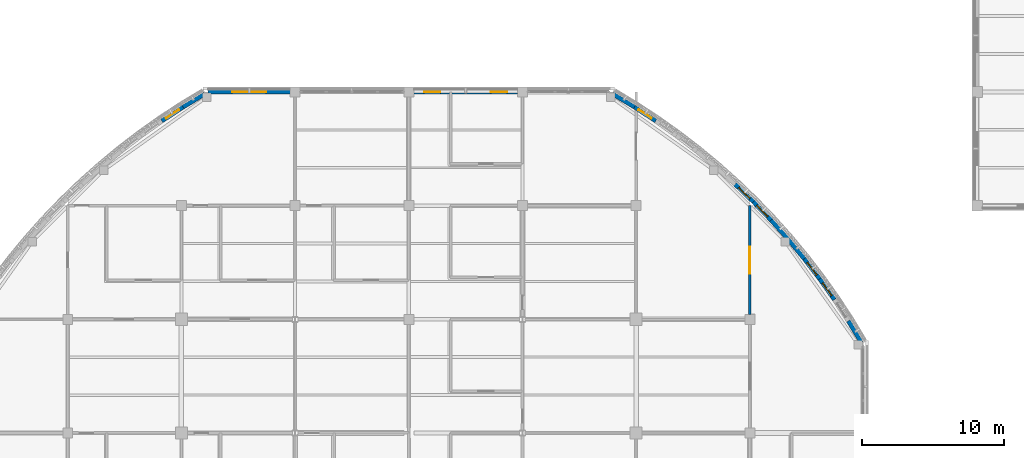
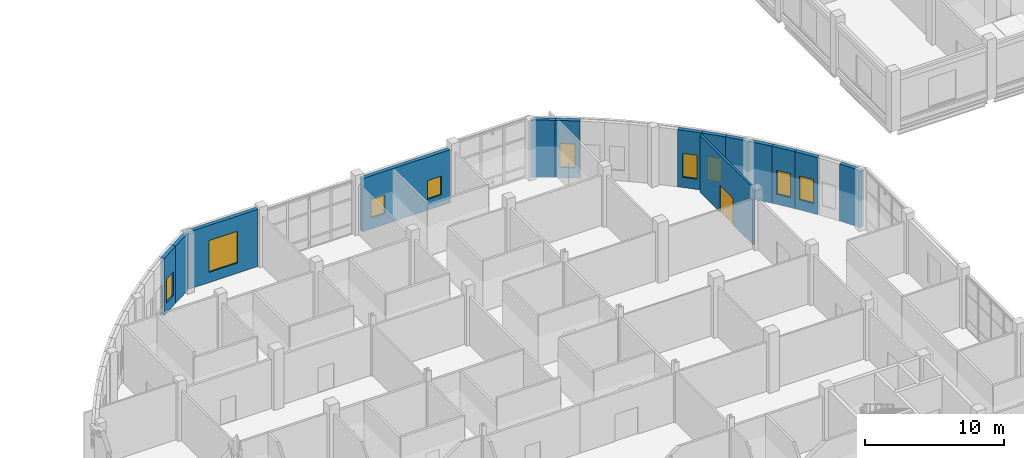
# One storey, part 74 of 105: 14 walls, 9 windows, 1 door, 10 openings.
"""IFC4 building model written with IfcOpenShell, lengths in metres."""

import ifcopenshell
import ifcopenshell.guid

model = None  # the IFC model being written
_history = None  # IfcOwnerHistory: only IFC2X3 demands one
_inside = {}  # id of a spatial element -> (the spatial element, [elements in it])
_under = {}  # id of a project, library or spatial element -> (it, [spatial elements below it])
_declared = {}  # id of a project -> (the project, [libraries it declares])
_typed = {}  # id of a type object -> (the type object, [elements of that type])
_made_of = {}  # id of a material, layer set ... -> (it, [elements and type objects made of it])


def new_model(schema):
    """Start an empty IFC model of exactly this schema.

    Asked for "IFC4X3", IfcOpenShell would pick the latest addendum, in which some entities
    have other attributes; the version numbers below select the first issue.
    IFC2X3 requires an IfcOwnerHistory on every rooted entity: one is made here for all.
    """
    global model, _history
    if schema == "IFC4X3":
        model = ifcopenshell.file(schema_version=(4, 3, 0, 0))
    else:
        model = ifcopenshell.file(schema=schema)
    _inside.clear()
    _under.clear()
    _declared.clear()
    _typed.clear()
    _made_of.clear()
    _history = None
    if model.schema == "IFC2X3":
        org = make("IfcOrganization", Name="unknown")
        user = make(
            "IfcPersonAndOrganization",
            ThePerson=make("IfcPerson", FamilyName="unknown"),
            TheOrganization=org,
        )
        app = make(
            "IfcApplication",
            ApplicationDeveloper=org,
            Version="unknown",
            ApplicationFullName="unknown",
            ApplicationIdentifier="unknown",
        )
        _history = make(
            "IfcOwnerHistory",
            OwningUser=user,
            OwningApplication=app,
            ChangeAction="ADDED",
            CreationDate=0,
        )
    return model


def make(cls, **values):
    """One entity of the class cls with the attributes given. An attribute that is None is left unset."""
    return model.create_entity(
        cls, **{name: value for name, value in values.items() if value is not None}
    )


def rooted(cls, **values):
    """An entity with a GlobalId (a new one), such as an element, a storey or a relation."""
    return make(cls, GlobalId=ifcopenshell.guid.new(), OwnerHistory=_history, **values)


def si_unit(unit_type, name, prefix=None):
    """IfcSIUnit, for example si_unit("LENGTHUNIT", "METRE", prefix="MILLI")."""
    return make("IfcSIUnit", UnitType=unit_type, Prefix=prefix, Name=name)


def derived_unit(unit_type, elements):
    """IfcDerivedUnit: a product of units, each with its exponent."""
    return make(
        "IfcDerivedUnit",
        Elements=[
            make("IfcDerivedUnitElement", Unit=unit, Exponent=power)
            for unit, power in elements
        ],
        UnitType=unit_type,
    )


def assignment(units):
    """IfcUnitAssignment: the units of a project."""
    return None if units is None else make("IfcUnitAssignment", Units=units)


def point(xyz):
    """IfcCartesianPoint."""
    return None if xyz is None else make("IfcCartesianPoint", Coordinates=xyz)


def direction(xyz):
    """IfcDirection."""
    return None if xyz is None else make("IfcDirection", DirectionRatios=xyz)


def frame(location, z_axis=None, x_axis=None):
    """IfcAxis2Placement3D, a coordinate frame: its origin and axes. An axis left out is left unset."""
    return make(
        "IfcAxis2Placement3D",
        Location=point(location),
        Axis=direction(z_axis),
        RefDirection=direction(x_axis),
    )


def frame_2d(location, x_axis=None):
    """IfcAxis2Placement2D, a coordinate frame in the plane: its origin and x axis."""
    return make(
        "IfcAxis2Placement2D", Location=point(location), RefDirection=direction(x_axis)
    )


def origin():
    """The frame at (0, 0, 0) with its axes left unset."""
    return frame((0.0, 0.0, 0.0))


def place(relative_to, where):
    """IfcLocalPlacement: puts the frame where relative to a parent placement (None: the world)."""
    return make(
        "IfcLocalPlacement", PlacementRelTo=relative_to, RelativePlacement=where
    )


def context(
    kind, dimensions, precision=None, world=None, true_north=None, identifier=None
):
    """IfcGeometricRepresentationContext, for example the 3D "Model" context."""
    return make(
        "IfcGeometricRepresentationContext",
        ContextIdentifier=identifier,
        ContextType=kind,
        CoordinateSpaceDimension=dimensions,
        Precision=precision,
        WorldCoordinateSystem=world,
        TrueNorth=true_north,
    )


def subcontext(parent, identifier, kind, view, scale=None):
    """IfcGeometricRepresentationSubContext, for example "Body" below "Model"."""
    return make(
        "IfcGeometricRepresentationSubContext",
        ContextIdentifier=identifier,
        ContextType=kind,
        ParentContext=parent,
        TargetScale=scale,
        TargetView=view,
    )


def project(units=None, contexts=None):
    """IfcProject with its units and contexts."""
    return rooted(
        "IfcProject",
        Name="project",
        RepresentationContexts=contexts,
        UnitsInContext=assignment(units),
    )


def spatial(cls, under=None, at=None, **own):
    """A site, building, storey or space (cls), placed at a placement, below another one or the project."""
    s = rooted(cls, ObjectPlacement=at, **own)
    if under is not None:
        _under.setdefault(under.id(), (under, []))[1].append(s)
    return s


def profile(cls, at=None, kind="AREA", **sizes):
    """A parametric profile (cls). Its sizes go by their IFC names, for example OverallWidth=200.0."""
    return make(cls, ProfileType=kind, Position=at, **sizes)


def rectangle(**sizes):
    """IfcRectangleProfileDef."""
    return profile("IfcRectangleProfileDef", **sizes)


def extrude(swept, where, along, depth):
    """IfcExtrudedAreaSolid: the profile swept, set in the frame where, extruded along a direction by depth."""
    return make(
        "IfcExtrudedAreaSolid",
        SweptArea=swept,
        Position=where,
        ExtrudedDirection=direction(along),
        Depth=depth,
    )


def shape(context_of_items, identifier, shape_type, items):
    """IfcShapeRepresentation: the items that make up one representation, for example the "Body"."""
    return make(
        "IfcShapeRepresentation",
        ContextOfItems=context_of_items,
        RepresentationIdentifier=identifier,
        RepresentationType=shape_type,
        Items=items,
    )


def material(Name=None, Category=None):
    """IfcMaterial."""
    return make("IfcMaterial", Name=Name, Category=Category)


def layer(
    of_material, thickness, ventilated=None, Name=None, Category=None, Priority=None
):
    """IfcMaterialLayer: one layer of a wall or slab, of a material (None: an air gap)."""
    return make(
        "IfcMaterialLayer",
        Material=of_material,
        LayerThickness=thickness,
        IsVentilated=ventilated,
        Name=Name,
        Category=Category,
        Priority=Priority,
    )


def layer_set(layers, Name=None):
    """IfcMaterialLayerSet."""
    return make("IfcMaterialLayerSet", MaterialLayers=layers, LayerSetName=Name)


def made_of(thing, what):
    """Note that an element or type object is made of a material, layer set ...; save() writes the relation."""
    if what is not None:
        _made_of.setdefault(what.id(), (what, []))[1].append(thing)
    return thing


def type_object(cls, material=None, **own):
    """A type object (cls), such as IfcWallType, which elements share."""
    return made_of(rooted(cls, **own), material)


def element(
    cls,
    number,
    at=None,
    inside=None,
    cuts=None,
    type_object=None,
    material=None,
    context=None,
    identifier="Body",
    shape_type=None,
    held_by="IfcProductDefinitionShape",
    body=None,
    shapes=None,
    **own,
):
    """One element of the class cls, such as IfcWall. Its Tag is "e" and its number.

    at: its placement. inside: the storey or other place that contains it. cuts: it is an
    opening in that element (IfcRelVoidsElement). A single representation is given by context,
    identifier, shape_type and body (its items); several are given by shapes. held_by: the class
    of the entity that holds the representations. save() writes the other relations.
    """
    e = rooted(cls, Tag="e%d" % number, ObjectPlacement=at, **own)
    if body is not None:
        shapes = [shape(context, identifier, shape_type, body)]
    if shapes is not None:
        e.Representation = make(held_by, Representations=shapes)
    if inside is not None:
        _inside.setdefault(inside.id(), (inside, []))[1].append(e)
    if cuts is not None:
        rooted(
            "IfcRelVoidsElement", RelatingBuildingElement=cuts, RelatedOpeningElement=e
        )
    if type_object is not None:
        _typed.setdefault(type_object.id(), (type_object, []))[1].append(e)
    return made_of(e, material)


def fill(opening, filler):
    """IfcRelFillsElement: the door or window that sits in an opening."""
    return rooted(
        "IfcRelFillsElement",
        RelatingOpeningElement=opening,
        RelatedBuildingElement=filler,
    )


def aggregate(whole, parts):
    """IfcRelAggregates: a whole, such as a stair, and the parts it consists of."""
    return rooted("IfcRelAggregates", RelatingObject=whole, RelatedObjects=parts)


def save(model, path):
    """Write the relations noted so far, then the file.

    IfcRelAggregates (storeys below a building ...), IfcRelContainedInSpatialStructure (elements
    in a storey), IfcRelDefinesByType, IfcRelAssociatesMaterial and IfcRelDeclares: one each for
    every whole, place, type object, material and project.
    """
    for whole, parts in _under.values():
        aggregate(whole, parts)
    for where, things in _inside.values():
        rooted(
            "IfcRelContainedInSpatialStructure",
            RelatedElements=things,
            RelatingStructure=where,
        )
    for kind, things in _typed.values():
        rooted("IfcRelDefinesByType", RelatedObjects=things, RelatingType=kind)
    for what, things in _made_of.values():
        rooted("IfcRelAssociatesMaterial", RelatedObjects=things, RelatingMaterial=what)
    for by, libraries in _declared.values():
        rooted("IfcRelDeclares", RelatingContext=by, RelatedDefinitions=libraries)
    model.write(path)


model = new_model("IFC4")

# Units and contexts
model_context = context("Model", 3, precision=1e-05, world=origin(), true_north=direction((0.0, 1.0)))
body_context = subcontext(model_context, "Body", "Model", "MODEL_VIEW")
ifc_project = project(units=[si_unit("LENGTHUNIT", "METRE"), si_unit("AREAUNIT", "SQUARE_METRE"), si_unit("VOLUMEUNIT", "CUBIC_METRE"), si_unit("PLANEANGLEUNIT", "RADIAN"), si_unit("MASSUNIT", "GRAM", prefix="KILO"), derived_unit("THERMALTRANSMITTANCEUNIT", [(si_unit("MASSUNIT", "GRAM", prefix="KILO"), 1), (si_unit("TIMEUNIT", "SECOND"), -3), (si_unit("THERMODYNAMICTEMPERATUREUNIT", "KELVIN"), -1)])], contexts=[model_context])

# Site, building, storey
site_placement = place(None, origin())
site = spatial("IfcSite", under=ifc_project, at=site_placement, CompositionType="ELEMENT")
building_placement = place(site_placement, origin())
building = spatial("IfcBuilding", under=site, at=building_placement, Name="Veyamyaing Civic Hall", CompositionType="ELEMENT")
storey_placement = place(building_placement, origin())
storey = spatial("IfcBuildingStorey", under=building, at=storey_placement, Name="L00", CompositionType="ELEMENT", Elevation=0.0)

# Wall
ifc_material_1 = material(Name="Precast concrete C40/50", Category="concrete")
ifc_layer_1 = layer(ifc_material_1, 0.304931640625, Name="Precast concrete C40/50")
ifc_layer_set_1 = layer_set([ifc_layer_1], Name="Precast concrete C40/50")
wall_type_1 = type_object("IfcWallType", Name="WT-03", PredefinedType="SOLIDWALL", material=ifc_layer_set_1)
wall_1_placement = place(storey_placement, frame((119.8671875, 78.350830078125, 0.0), z_axis=(0.0, 0.0, 1.0), x_axis=(-0.51607516088, 0.856543302071, 0.0)))
element("IfcWall", 1, at=wall_1_placement, inside=storey, type_object=wall_type_1, Name="Curved corner facade wall WT-03 L00 NE.1", PredefinedType="SOLIDWALL", context=body_context, shape_type="SweptSolid", body=[
    extrude(rectangle(XDim=1.794921875, YDim=0.304931640625, at=frame_2d((0.8974609375, 0.0))), origin(), (0.0, 0.0, 1.0), 5.034912109375),
])

# Wall, opening, window
wall_2_placement = place(storey_placement, frame((117.9638671875, 81.38037109375, 0.0), z_axis=(0.0, 0.0, 1.0), x_axis=(-0.578662393636, 0.815567185578, 0.0)))
wall_2 = element("IfcWall", 2, at=wall_2_placement, inside=storey, type_object=wall_type_1, Name="Curved corner facade wall WT-03 L00 NE.3", PredefinedType="SOLIDWALL", context=body_context, shape_type="SweptSolid", body=[
    extrude(rectangle(XDim=1.795166015625, YDim=0.304931640625, at=frame_2d((0.8974609375, 0.0))), origin(), (0.0, 0.0, 1.0), 5.034912109375),
])
opening_1_placement = place(wall_2_placement, frame((0.34765625, 0.0, 0.89990234375)))
opening_1 = element("IfcOpeningElement", 3, at=opening_1_placement, cuts=wall_2, Name="Opening W-15", PredefinedType="OPENING", context=body_context, shape_type="SweptSolid", body=[
    extrude(rectangle(XDim=1.10009765625, YDim=2.10009765625, at=frame_2d((0.550048828125, 1.050048828125))), frame((0.0, 0.162353515625, 0.0), z_axis=(0.0, -1.0, 0.0), x_axis=(1.0, 0.0, 0.0)), (0.0, 0.0, 1.0), 0.324951171875),
])
ifc_material_2 = material(Name="Low-E insulated glass", Category="glass")
window_type_1 = type_object("IfcWindowType", Name="W-15", PartitioningType="SINGLE_PANEL", PredefinedType="WINDOW", material=ifc_material_2)
window_1_placement = place(opening_1_placement, origin())
window_1 = element("IfcWindow", 4, at=window_1_placement, inside=storey, type_object=window_type_1, Name="Curved ribbon window W-15 L00 NE.3", OverallHeight=2.10009765625, OverallWidth=1.10009765625, PartitioningType="SINGLE_PANEL", PredefinedType="WINDOW", context=body_context, shape_type="SweptSolid", body=[
    extrude(rectangle(XDim=1.10009765625, YDim=2.10009765625, at=frame_2d((0.550048828125, 1.050048828125))), frame((0.0, 0.030029296875, 0.0), z_axis=(0.0, -1.0, 0.0), x_axis=(1.0, 0.0, 0.0)), (0.0, 0.0, 1.0), 0.06005859375),
])
fill(opening_1, window_1)

wall_3_placement = place(storey_placement, frame((116.928466796875, 82.83984375, 0.0), z_axis=(0.0, 0.0, 1.0), x_axis=(-0.608776981616, 0.793341406114, 0.0)))
wall_3 = element("IfcWall", 5, at=wall_3_placement, inside=storey, type_object=wall_type_1, Name="Curved corner facade wall WT-03 L00 NE.4", PredefinedType="SOLIDWALL", context=body_context, shape_type="SweptSolid", body=[
    extrude(rectangle(XDim=1.794921875, YDim=0.304931640625, at=frame_2d((0.8974609375, 0.0))), origin(), (0.0, 0.0, 1.0), 5.034912109375),
])
opening_2_placement = place(wall_3_placement, frame((0.347412109375, 0.0, 0.89990234375)))
opening_2 = element("IfcOpeningElement", 6, at=opening_2_placement, cuts=wall_3, Name="Opening W-15", PredefinedType="OPENING", context=body_context, shape_type="SweptSolid", body=[
    extrude(rectangle(XDim=1.10009765625, YDim=2.10009765625, at=frame_2d((0.550048828125, 1.050048828125))), frame((0.0, 0.162353515625, 0.0), z_axis=(0.0, -1.0, 0.0), x_axis=(1.0, 0.0, 0.0)), (0.0, 0.0, 1.0), 0.324951171875),
])
window_2_placement = place(opening_2_placement, origin())
window_2 = element("IfcWindow", 7, at=window_2_placement, inside=storey, type_object=window_type_1, Name="Curved ribbon window W-15 L00 NE.4", OverallHeight=2.10009765625, OverallWidth=1.10009765625, PartitioningType="SINGLE_PANEL", PredefinedType="WINDOW", context=body_context, shape_type="SweptSolid", body=[
    extrude(rectangle(XDim=1.10009765625, YDim=2.10009765625, at=frame_2d((0.550048828125, 1.050048828125))), frame((0.0, 0.030029296875, 0.0), z_axis=(0.0, -1.0, 0.0), x_axis=(1.0, 0.0, 0.0)), (0.0, 0.0, 1.0), 0.06005859375),
])
fill(opening_2, window_2)

# Walls
wall_4_placement = place(storey_placement, frame((115.83935546875, 84.259521484375, 0.0), z_axis=(0.0, 0.0, 1.0), x_axis=(-0.638054732073, 0.769991012207, 0.0)))
element("IfcWall", 8, at=wall_4_placement, inside=storey, type_object=wall_type_1, Name="Curved corner facade wall WT-03 L00 NE.5", PredefinedType="SOLIDWALL", context=body_context, shape_type="SweptSolid", body=[
    extrude(rectangle(XDim=1.794921875, YDim=0.304931640625, at=frame_2d((0.8974609375, 0.0))), origin(), (0.0, 0.0, 1.0), 5.034912109375),
])
wall_5_placement = place(storey_placement, frame((114.69775390625, 85.63720703125, 0.0), z_axis=(0.0, 0.0, 1.0), x_axis=(-0.666277888361, 0.745703543965, 0.0)))
element("IfcWall", 9, at=wall_5_placement, inside=storey, type_object=wall_type_1, Name="Curved corner facade wall WT-03 L00 NE.6", PredefinedType="SOLIDWALL", context=body_context, shape_type="SweptSolid", body=[
    extrude(rectangle(XDim=1.795166015625, YDim=0.304931640625, at=frame_2d((0.8974609375, 0.0))), origin(), (0.0, 0.0, 1.0), 5.034912109375),
])

# Wall, opening, window
wall_6_placement = place(storey_placement, frame((113.505615234375, 86.971435546875, 0.0), z_axis=(0.0, 0.0, 1.0), x_axis=(-0.693722700342, 0.720242191926, 0.0)))
wall_6 = element("IfcWall", 10, at=wall_6_placement, inside=storey, type_object=wall_type_1, Name="Curved corner facade wall WT-03 L00 NE.7", PredefinedType="SOLIDWALL", context=body_context, shape_type="SweptSolid", body=[
    extrude(rectangle(XDim=1.795166015625, YDim=0.304931640625, at=frame_2d((0.8974609375, 0.0))), origin(), (0.0, 0.0, 1.0), 5.034912109375),
])
opening_3_placement = place(wall_6_placement, frame((0.347412109375, 0.0, 0.89990234375)))
opening_3 = element("IfcOpeningElement", 11, at=opening_3_placement, cuts=wall_6, Name="Opening W-15", PredefinedType="OPENING", context=body_context, shape_type="SweptSolid", body=[
    extrude(rectangle(XDim=1.10009765625, YDim=2.10009765625, at=frame_2d((0.550048828125, 1.050048828125))), frame((0.0, 0.162353515625, 0.0), z_axis=(0.0, -1.0, 0.0), x_axis=(1.0, 0.0, 0.0)), (0.0, 0.0, 1.0), 0.324951171875),
])
window_3_placement = place(opening_3_placement, origin())
window_3 = element("IfcWindow", 12, at=window_3_placement, inside=storey, type_object=window_type_1, Name="Curved ribbon window W-15 L00 NE.7", OverallHeight=2.10009765625, OverallWidth=1.10009765625, PartitioningType="SINGLE_PANEL", PredefinedType="WINDOW", context=body_context, shape_type="SweptSolid", body=[
    extrude(rectangle(XDim=1.10009765625, YDim=2.10009765625, at=frame_2d((0.550048828125, 1.050048828125))), frame((0.0, 0.030029296875, 0.0), z_axis=(0.0, -1.0, 0.0), x_axis=(1.0, 0.0, 0.0)), (0.0, 0.0, 1.0), 0.06005859375),
])
fill(opening_3, window_3)

wall_7_placement = place(storey_placement, frame((112.264404296875, 88.26025390625, 0.0), z_axis=(0.0, 0.0, 1.0), x_axis=(-0.720242191926, 0.693722700342, 0.0)))
wall_7 = element("IfcWall", 13, at=wall_7_placement, inside=storey, type_object=wall_type_1, Name="Curved corner facade wall WT-03 L00 NE.8", PredefinedType="SOLIDWALL", context=body_context, shape_type="SweptSolid", body=[
    extrude(rectangle(XDim=1.795166015625, YDim=0.304931640625, at=frame_2d((0.8974609375, 0.0))), origin(), (0.0, 0.0, 1.0), 5.034912109375),
])
opening_4_placement = place(wall_7_placement, frame((0.347412109375, 0.0, 0.89990234375)))
opening_4 = element("IfcOpeningElement", 14, at=opening_4_placement, cuts=wall_7, Name="Opening W-15", PredefinedType="OPENING", context=body_context, shape_type="SweptSolid", body=[
    extrude(rectangle(XDim=1.10009765625, YDim=2.10009765625, at=frame_2d((0.550048828125, 1.050048828125))), frame((0.0, 0.162353515625, 0.0), z_axis=(0.0, -1.0, 0.0), x_axis=(1.0, 0.0, 0.0)), (0.0, 0.0, 1.0), 0.324951171875),
])
window_4_placement = place(opening_4_placement, origin())
window_4 = element("IfcWindow", 15, at=window_4_placement, inside=storey, type_object=window_type_1, Name="Curved ribbon window W-15 L00 NE.8", OverallHeight=2.10009765625, OverallWidth=1.10009765625, PartitioningType="SINGLE_PANEL", PredefinedType="WINDOW", context=body_context, shape_type="SweptSolid", body=[
    extrude(rectangle(XDim=1.10009765625, YDim=2.10009765625, at=frame_2d((0.550048828125, 1.050048828125))), frame((0.0, 0.030029296875, 0.0), z_axis=(0.0, -1.0, 0.0), x_axis=(1.0, 0.0, 0.0)), (0.0, 0.0, 1.0), 0.06005859375),
])
fill(opening_4, window_4)

wall_8_placement = place(storey_placement, frame((105.38525390625, 93.960693359375, 0.0), z_axis=(0.0, 0.0, 1.0), x_axis=(-0.836686786408, 0.547681678944, 0.0)))
wall_8 = element("IfcWall", 16, at=wall_8_placement, inside=storey, type_object=wall_type_1, Name="Curved corner facade wall WT-03 L00 NE.13", PredefinedType="SOLIDWALL", context=body_context, shape_type="SweptSolid", body=[
    extrude(rectangle(XDim=1.795166015625, YDim=0.304931640625, at=frame_2d((0.8974609375, 0.0))), origin(), (0.0, 0.0, 1.0), 5.034912109375),
])
opening_5_placement = place(wall_8_placement, frame((0.347412109375, 0.0, 0.89990234375)))
opening_5 = element("IfcOpeningElement", 17, at=opening_5_placement, cuts=wall_8, Name="Opening W-15", PredefinedType="OPENING", context=body_context, shape_type="SweptSolid", body=[
    extrude(rectangle(XDim=1.10009765625, YDim=2.10009765625, at=frame_2d((0.550048828125, 1.050048828125))), frame((0.0, 0.162353515625, 0.0), z_axis=(0.0, -1.0, 0.0), x_axis=(1.0, 0.0, 0.0)), (0.0, 0.0, 1.0), 0.324951171875),
])
window_5_placement = place(opening_5_placement, origin())
window_5 = element("IfcWindow", 18, at=window_5_placement, inside=storey, type_object=window_type_1, Name="Curved ribbon window W-15 L00 NE.13", OverallHeight=2.10009765625, OverallWidth=1.10009765625, PartitioningType="SINGLE_PANEL", PredefinedType="WINDOW", context=body_context, shape_type="SweptSolid", body=[
    extrude(rectangle(XDim=1.10009765625, YDim=2.10009765625, at=frame_2d((0.550048828125, 1.050048828125))), frame((0.0, 0.030029296875, 0.0), z_axis=(0.0, -1.0, 0.0), x_axis=(1.0, 0.0, 0.0)), (0.0, 0.0, 1.0), 0.06005859375),
])
fill(opening_5, window_5)

# Walls
for number, where, z_axis, x_axis, name in (
    (19, (103.88818359375, 94.94091796875, 0.0), (0.0, 0.0, 1.0), (-0.856543302071, 0.51607516088, 0.0), "Curved corner facade wall WT-03 L00 NE.14"),
    (20, (73.649169921875, 95.8671875, 0.0), (0.0, 0.0, 1.0), (-0.856543302071, -0.51607516088, 0.0), "Curved corner facade wall WT-03 L00 NW.1"),
):
    element("IfcWall", number, at=place(storey_placement, frame(where, z_axis=z_axis, x_axis=x_axis)), inside=storey, type_object=wall_type_1, Name=name, PredefinedType="SOLIDWALL", context=body_context, shape_type="SweptSolid", body=[
        extrude(rectangle(XDim=1.794921875, YDim=0.304931640625, at=frame_2d((0.8974609375, 0.0))), origin(), (0.0, 0.0, 1.0), 5.034912109375),
    ])

# Wall, opening, window
wall_9_placement = place(storey_placement, frame((72.11669921875, 94.94384765625, 0.0), z_axis=(0.0, 0.0, 1.0), x_axis=(-0.836686786408, -0.547681678944, 0.0)))
wall_9 = element("IfcWall", 21, at=wall_9_placement, inside=storey, type_object=wall_type_1, Name="Curved corner facade wall WT-03 L00 NW.2", PredefinedType="SOLIDWALL", context=body_context, shape_type="SweptSolid", body=[
    extrude(rectangle(XDim=1.795166015625, YDim=0.304931640625, at=frame_2d((0.8974609375, 0.0))), origin(), (0.0, 0.0, 1.0), 5.034912109375),
])
opening_6_placement = place(wall_9_placement, frame((0.347412109375, 0.0, 0.89990234375)))
opening_6 = element("IfcOpeningElement", 22, at=opening_6_placement, cuts=wall_9, Name="Opening W-15", PredefinedType="OPENING", context=body_context, shape_type="SweptSolid", body=[
    extrude(rectangle(XDim=1.10009765625, YDim=2.10009765625, at=frame_2d((0.550048828125, 1.050048828125))), frame((0.0, 0.162353515625, 0.0), z_axis=(0.0, -1.0, 0.0), x_axis=(1.0, 0.0, 0.0)), (0.0, 0.0, 1.0), 0.324951171875),
])
window_6_placement = place(opening_6_placement, origin())
window_6 = element("IfcWindow", 23, at=window_6_placement, inside=storey, type_object=window_type_1, Name="Curved ribbon window W-15 L00 NW.2", OverallHeight=2.10009765625, OverallWidth=1.10009765625, PartitioningType="SINGLE_PANEL", PredefinedType="WINDOW", context=body_context, shape_type="SweptSolid", body=[
    extrude(rectangle(XDim=1.10009765625, YDim=2.10009765625, at=frame_2d((0.550048828125, 1.050048828125))), frame((0.0, 0.030029296875, 0.0), z_axis=(0.0, -1.0, 0.0), x_axis=(1.0, 0.0, 0.0)), (0.0, 0.0, 1.0), 0.06005859375),
])
fill(opening_6, window_6)

wall_10_placement = place(storey_placement, frame((73.854248046875, 96.0, 0.0), z_axis=(0.0, 0.0, 1.0), x_axis=(1.0, 0.0, 0.0)))
wall_10 = element("IfcWall", 24, at=wall_10_placement, inside=storey, type_object=wall_type_1, Name="Exterior facade wall WT-03 L00 N 10.12", PredefinedType="SOLIDWALL", context=body_context, shape_type="SweptSolid", body=[
    extrude(rectangle(XDim=5.810791015625, YDim=0.304931640625, at=frame_2d((2.9052734375, 0.0))), origin(), (0.0, 0.0, 1.0), 5.034912109375),
])
opening_7_placement = place(wall_10_placement, frame((1.705322265625, 0.0, 0.89990234375)))
opening_7 = element("IfcOpeningElement", 25, at=opening_7_placement, cuts=wall_10, Name="Opening W-01", PredefinedType="OPENING", context=body_context, shape_type="SweptSolid", body=[
    extrude(rectangle(XDim=2.39990234375, YDim=2.800048828125, at=frame_2d((1.199951171875, 1.39990234375))), frame((0.0, 0.162353515625, 0.0), z_axis=(0.0, -1.0, 0.0), x_axis=(1.0, 0.0, 0.0)), (0.0, 0.0, 1.0), 0.324951171875),
])
window_type_2 = type_object("IfcWindowType", Name="W-01", PartitioningType="SINGLE_PANEL", PredefinedType="WINDOW", material=ifc_material_2)
window_7_placement = place(opening_7_placement, origin())
window_7 = element("IfcWindow", 26, at=window_7_placement, inside=storey, type_object=window_type_2, Name="Facade window W-01 L00 N 10.12", OverallHeight=2.800048828125, OverallWidth=2.39990234375, PartitioningType="SINGLE_PANEL", PredefinedType="WINDOW", context=body_context, shape_type="SweptSolid", body=[
    extrude(rectangle(XDim=2.39990234375, YDim=2.800048828125, at=frame_2d((1.199951171875, 1.39990234375))), frame((0.0, 0.030029296875, 0.0), z_axis=(0.0, -1.0, 0.0), x_axis=(1.0, 0.0, 0.0)), (0.0, 0.0, 1.0), 0.06005859375),
])
fill(opening_7, window_7)

# Wall, openings, windows
wall_11_placement = place(storey_placement, frame((88.3349609375, 96.0, 0.0), z_axis=(0.0, 0.0, 1.0), x_axis=(1.0, 0.0, 0.0)))
wall_11 = element("IfcWall", 27, at=wall_11_placement, inside=storey, type_object=wall_type_1, Name="Exterior facade wall WT-03 L00 N 12.12", PredefinedType="SOLIDWALL", context=body_context, shape_type="SweptSolid", body=[
    extrude(rectangle(XDim=7.330078125, YDim=0.304931640625, at=frame_2d((3.6650390625, 0.0))), origin(), (0.0, 0.0, 1.0), 4.677001953125),
])
opening_8_placement = place(wall_11_placement, frame((0.744384765625, 0.0, 0.949951171875)))
opening_8 = element("IfcOpeningElement", 28, at=opening_8_placement, cuts=wall_11, Name="Opening W-32", PredefinedType="OPENING", context=body_context, shape_type="SweptSolid", body=[
    extrude(rectangle(XDim=1.14990234375, YDim=1.64990234375, at=frame_2d((0.574951171875, 0.824951171875))), frame((0.0, 0.162353515625, 0.0), z_axis=(0.0, -1.0, 0.0), x_axis=(1.0, 0.0, 0.0)), (0.0, 0.0, 1.0), 0.324951171875),
])
opening_9_placement = place(wall_11_placement, frame((5.435546875, 0.0, 0.949951171875)))
opening_9 = element("IfcOpeningElement", 29, at=opening_9_placement, cuts=wall_11, Name="Opening W-32", PredefinedType="OPENING", context=body_context, shape_type="SweptSolid", body=[
    extrude(rectangle(XDim=1.14990234375, YDim=1.64990234375, at=frame_2d((0.574951171875, 0.824951171875))), frame((0.0, 0.162353515625, 0.0), z_axis=(0.0, -1.0, 0.0), x_axis=(1.0, 0.0, 0.0)), (0.0, 0.0, 1.0), 0.324951171875),
])
window_type_3 = type_object("IfcWindowType", Name="W-32", PartitioningType="SINGLE_PANEL", PredefinedType="WINDOW", material=ifc_material_2)
window_8_placement = place(opening_8_placement, origin())
window_8 = element("IfcWindow", 30, at=window_8_placement, inside=storey, type_object=window_type_3, Name="Facade window W-32 L00 N 12.12.1", OverallHeight=1.64990234375, OverallWidth=1.14990234375, PartitioningType="SINGLE_PANEL", PredefinedType="WINDOW", context=body_context, shape_type="SweptSolid", body=[
    extrude(rectangle(XDim=1.14990234375, YDim=1.64990234375, at=frame_2d((0.574951171875, 0.824951171875))), frame((0.0, 0.030029296875, 0.0), z_axis=(0.0, -1.0, 0.0), x_axis=(1.0, 0.0, 0.0)), (0.0, 0.0, 1.0), 0.06005859375),
])
fill(opening_8, window_8)
window_9_placement = place(opening_9_placement, origin())
window_9 = element("IfcWindow", 31, at=window_9_placement, inside=storey, type_object=window_type_3, Name="Facade window W-32 L00 N 12.12.2", OverallHeight=1.64990234375, OverallWidth=1.14990234375, PartitioningType="SINGLE_PANEL", PredefinedType="WINDOW", context=body_context, shape_type="SweptSolid", body=[
    extrude(rectangle(XDim=1.14990234375, YDim=1.64990234375, at=frame_2d((0.574951171875, 0.824951171875))), frame((0.0, 0.030029296875, 0.0), z_axis=(0.0, -1.0, 0.0), x_axis=(1.0, 0.0, 0.0)), (0.0, 0.0, 1.0), 0.06005859375),
])
fill(opening_9, window_9)

# Wall, opening, door
ifc_material_3 = material(Name="Gypsum board on acoustic steel stud", Category="steel")
ifc_layer_2 = layer(ifc_material_3, 0.175048828125, Name="Gypsum board on acoustic steel stud")
ifc_layer_set_2 = layer_set([ifc_layer_2], Name="Gypsum board on acoustic steel stud")
wall_type_2 = type_object("IfcWallType", Name="WT-07", PredefinedType="PARTITIONING", material=ifc_layer_set_2)
wall_12_placement = place(storey_placement, frame((112.0, 80.340087890625, 0.0), z_axis=(0.0, 0.0, 1.0), x_axis=(0.0, 1.0, 0.0)))
wall_12 = element("IfcWall", 32, at=wall_12_placement, inside=storey, type_object=wall_type_2, Name="Interior partition wall WT-07 L00.119", PredefinedType="PARTITIONING", context=body_context, shape_type="SweptSolid", body=[
    extrude(rectangle(XDim=7.659912109375, YDim=0.175048828125, at=frame_2d((3.830078125, 0.0))), origin(), (0.0, 0.0, 1.0), 5.02490234375),
])
opening_10_placement = place(wall_12_placement, frame((2.8798828125, 0.0, 0.0)))
opening_10 = element("IfcOpeningElement", 33, at=opening_10_placement, cuts=wall_12, Name="Opening D-31", PredefinedType="OPENING", context=body_context, shape_type="SweptSolid", body=[
    extrude(rectangle(XDim=1.89990234375, YDim=2.3798828125, at=frame_2d((0.949951171875, 1.18994140625))), frame((0.0, 0.097412109375, 0.0), z_axis=(0.0, -1.0, 0.0), x_axis=(1.0, 0.0, 0.0)), (0.0, 0.0, 1.0), 0.195068359375),
])
ifc_material_4 = material(Name="Teak-veneered acoustic timber", Category="wood")
door_type = type_object("IfcDoorType", Name="D-31", OperationType="DOUBLE_DOOR_SINGLE_SWING", PredefinedType="DOOR", material=ifc_material_4)
door_placement = place(opening_10_placement, origin())
door = element("IfcDoor", 34, at=door_placement, inside=storey, type_object=door_type, Name="Interior door D-31 L00.119", OperationType="DOUBLE_DOOR_SINGLE_SWING", OverallHeight=2.3798828125, OverallWidth=1.89990234375, PredefinedType="DOOR", context=body_context, shape_type="SweptSolid", body=[
    extrude(rectangle(XDim=1.89990234375, YDim=2.3798828125, at=frame_2d((0.949951171875, 1.18994140625))), frame((0.0, 0.02490234375, 0.0), z_axis=(0.0, -1.0, 0.0), x_axis=(1.0, 0.0, 0.0)), (0.0, 0.0, 1.0), 0.050048828125),
])
fill(opening_10, door)

save(model, "model.ifc")
